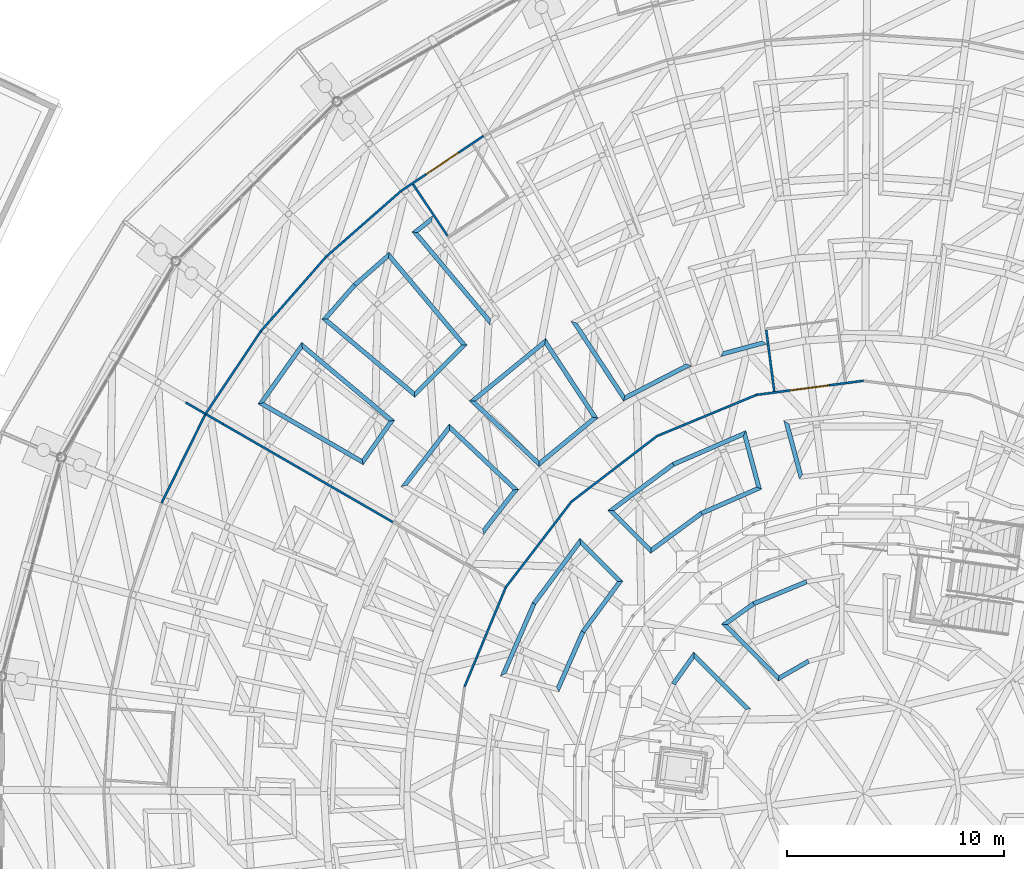
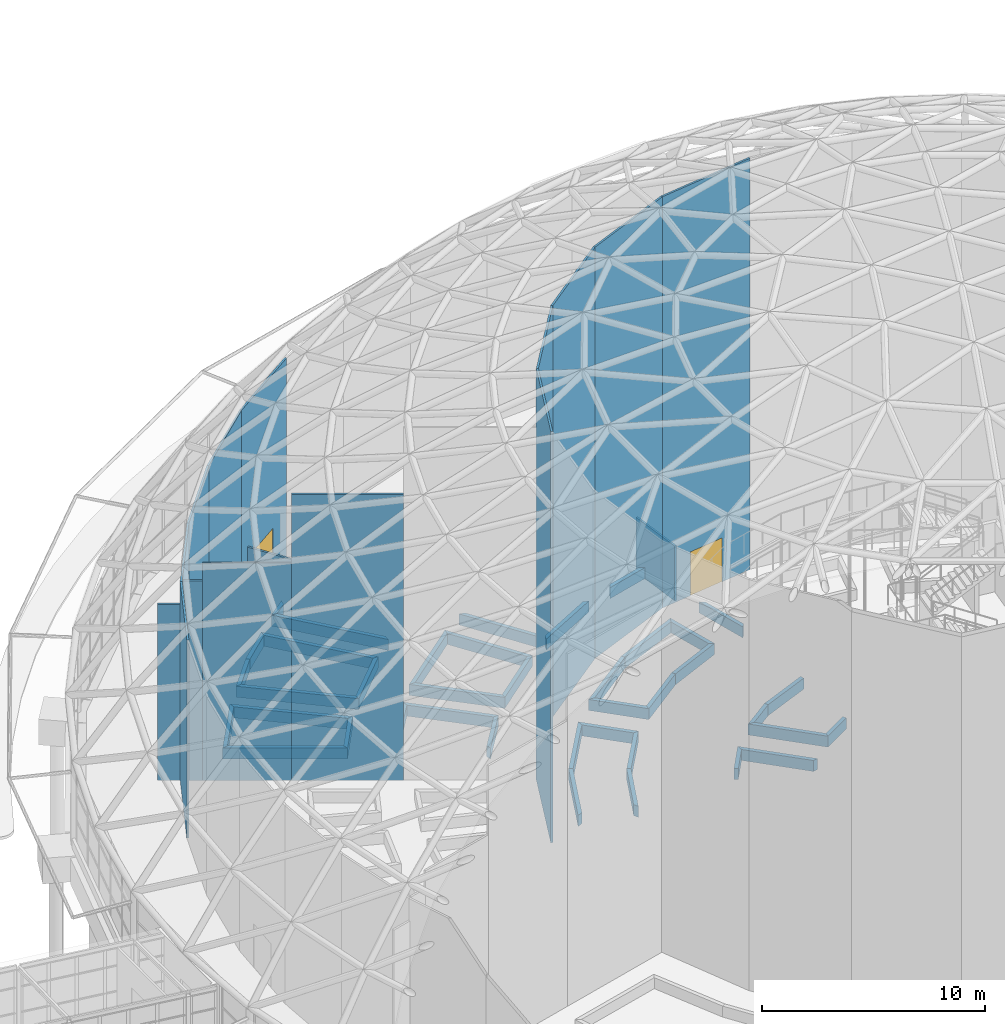
# One storey, part 171 of 226: 55 walls, 2 doors, 2 openings.
"""IFC4 building model written with IfcOpenShell, lengths in metres."""

from ifc_helpers import new_model, si_unit, direction, frame, frame_2d, origin, place, context, subcontext, project, spatial, polyline, rectangle, outline, extrude, material, layer, layer_set, type_object, element, fill, save


model = new_model("IFC4")

# Units and contexts
model_context = context("Model", 3, precision=1e-05, world=origin(), true_north=direction((0.0, 1.0)))
body_context = subcontext(model_context, "Body", "Model", "MODEL_VIEW")
ifc_project = project(units=[si_unit("LENGTHUNIT", "METRE"), si_unit("AREAUNIT", "SQUARE_METRE"), si_unit("VOLUMEUNIT", "CUBIC_METRE"), si_unit("PLANEANGLEUNIT", "RADIAN"), si_unit("MASSUNIT", "GRAM", prefix="KILO")], contexts=[model_context])

# Site, building, storey
site_placement = place(None, origin())
site = spatial("IfcSite", under=ifc_project, at=site_placement, CompositionType="ELEMENT")
building_placement = place(site_placement, origin())
building = spatial("IfcBuilding", under=site, at=building_placement, Name="Ceibo Conservatory and Research Tower", CompositionType="ELEMENT")
storey_placement = place(building_placement, origin())
storey = spatial("IfcBuildingStorey", under=building, at=storey_placement, Name="L00", CompositionType="ELEMENT", Elevation=0.0)

# Wall, opening, door
ifc_material_1 = material(Name="Aluminium and glass", Category="aluminium")
ifc_layer_1 = layer(ifc_material_1, 0.10009765625)
ifc_layer_set_1 = layer_set([ifc_layer_1], Name="Aluminium and glass")
wall_type_1 = type_object("IfcWallType", Name="Airlock screen wall 100", PredefinedType="PARTITIONING", material=ifc_layer_set_1)
wall_1_placement = place(storey_placement, frame((138.525146484375, 138.267578125, 0.0), z_axis=(0.0, 0.0, 1.0), x_axis=(-0.831458299113, -0.555587164031, 0.0)))
wall_1 = element("IfcWall", 1, at=wall_1_placement, inside=storey, type_object=wall_type_1, Name="Glazed partition O", PredefinedType="PARTITIONING", context=body_context, shape_type="SweptSolid", body=[
    extrude(outline(polyline([(-0.003173828125, -0.050048828125), (4.574951171875, -0.050048828125), (4.568603515625, 0.050048828125), (0.003173828125, 0.050048828125), (-0.003173828125, -0.050048828125)])), origin(), (0.0, 0.0, 1.0), 10.841552734375),
])
opening_1_placement = place(wall_1_placement, frame((1.385986328125, 0.0, 0.0)))
opening_1 = element("IfcOpeningElement", 2, at=opening_1_placement, cuts=wall_1, Name="Opening A-AL03", PredefinedType="OPENING", context=body_context, shape_type="SweptSolid", body=[
    extrude(rectangle(XDim=1.800048828125, YDim=2.39990234375, at=frame_2d((0.89990234375, 1.199951171875))), frame((0.0, 0.06005859375, 0.0), z_axis=(0.0, -1.0, 0.0), x_axis=(1.0, 0.0, 0.0)), (0.0, 0.0, 1.0), 0.1201171875),
])
door_type = type_object("IfcDoorType", Name="Glass sliding door 1800x2400", OperationType="DOUBLE_DOOR_SLIDING", PredefinedType="DOOR", material=ifc_material_1)
door_1_placement = place(opening_1_placement, origin())
door_1 = element("IfcDoor", 3, at=door_1_placement, inside=storey, type_object=door_type, Name="Airlock door A-AL03", OperationType="DOUBLE_DOOR_SLIDING", OverallHeight=2.39990234375, OverallWidth=1.800048828125, PredefinedType="DOOR", context=body_context, shape_type="SweptSolid", body=[
    extrude(rectangle(XDim=1.800048828125, YDim=2.39990234375, at=frame_2d((0.89990234375, 1.199951171875))), frame((0.0, 0.02490234375, 0.0), z_axis=(0.0, -1.0, 0.0), x_axis=(1.0, 0.0, 0.0)), (0.0, 0.0, 1.0), 0.050048828125),
])
fill(opening_1, door_1)

# Walls
wall_2_placement = place(storey_placement, frame((134.723876953125, 135.7275390625, 0.0), z_axis=(0.0, 0.0, 1.0), x_axis=(-0.751864999433, -0.659317088075, 0.0)))
element("IfcWall", 4, at=wall_2_placement, inside=storey, type_object=wall_type_1, Name="Glazed partition O", PredefinedType="PARTITIONING", context=body_context, shape_type="SweptSolid", body=[
    extrude(outline(polyline([(-0.003173828125, -0.050048828125), (4.57470703125, -0.050048828125), (4.568359375, 0.050048828125), (0.003173828125, 0.050048828125), (-0.003173828125, -0.050048828125)])), origin(), (0.0, 0.0, 1.0), 10.841552734375),
])
wall_3_placement = place(storey_placement, frame((131.28662109375, 132.71337890625, 0.0), z_axis=(0.0, 0.0, 1.0), x_axis=(-0.659317088075, -0.751864999433, 0.0)))
element("IfcWall", 5, at=wall_3_placement, inside=storey, type_object=wall_type_1, Name="Glazed partition O", PredefinedType="PARTITIONING", context=body_context, shape_type="SweptSolid", body=[
    extrude(outline(polyline([(-0.003173828125, -0.050048828125), (4.57470703125, -0.050048828125), (4.568359375, 0.050048828125), (0.003173828125, 0.050048828125), (-0.003173828125, -0.050048828125)])), origin(), (0.0, 0.0, 1.0), 10.84130859375),
])
wall_4_placement = place(storey_placement, frame((128.2724609375, 129.276123046875, 0.0), z_axis=(0.0, 0.0, 1.0), x_axis=(-0.555587164031, -0.831458299113, 0.0)))
element("IfcWall", 6, at=wall_4_placement, inside=storey, type_object=wall_type_1, Name="Glazed partition O", PredefinedType="PARTITIONING", context=body_context, shape_type="SweptSolid", body=[
    extrude(outline(polyline([(-0.003173828125, -0.050048828125), (4.574951171875, -0.050048828125), (4.568603515625, 0.050048828125), (0.003173828125, 0.050048828125), (-0.003173828125, -0.050048828125)])), origin(), (0.0, 0.0, 1.0), 10.841552734375),
])
wall_5_placement = place(storey_placement, frame((125.732421875, 125.474853515625, 0.0), z_axis=(0.0, 0.0, 1.0), x_axis=(-0.442293661028, -0.896870290184, 0.0)))
element("IfcWall", 7, at=wall_5_placement, inside=storey, type_object=wall_type_1, Name="Glazed partition O", PredefinedType="PARTITIONING", context=body_context, shape_type="SweptSolid", body=[
    extrude(outline(polyline([(-0.003173828125, -0.050048828125), (4.57470703125, -0.050048828125), (4.568359375, 0.050048828125), (0.003173828125, 0.050048828125), (-0.003173828125, -0.050048828125)])), origin(), (0.0, 0.0, 1.0), 10.841552734375),
])

# Wall, opening, door
wall_6_placement = place(storey_placement, frame((156.0, 127.0, 0.0), z_axis=(0.0, 0.0, 1.0), x_axis=(-0.991443234469, -0.130538549191, 0.0)))
wall_6 = element("IfcWall", 8, at=wall_6_placement, inside=storey, type_object=wall_type_1, Name="Glazed partition I", PredefinedType="PARTITIONING", context=body_context, shape_type="SweptSolid", body=[
    extrude(outline(polyline([(-0.006591796875, -0.050048828125), (4.966552734375, -0.050048828125), (4.953369140625, 0.050048828125), (0.006591796875, 0.050048828125), (-0.006591796875, -0.050048828125)])), origin(), (0.0, 0.0, 1.0), 22.484130859375),
])
opening_2_placement = place(wall_6_placement, frame((1.580078125, 0.0, 0.0)))
opening_2 = element("IfcOpeningElement", 9, at=opening_2_placement, cuts=wall_6, Name="Opening A-AL15", PredefinedType="OPENING", context=body_context, shape_type="SweptSolid", body=[
    extrude(rectangle(XDim=1.800048828125, YDim=2.39990234375, at=frame_2d((0.89990234375, 1.199951171875))), frame((0.0, 0.06005859375, 0.0), z_axis=(0.0, -1.0, 0.0), x_axis=(1.0, 0.0, 0.0)), (0.0, 0.0, 1.0), 0.1201171875),
])
door_2_placement = place(opening_2_placement, origin())
door_2 = element("IfcDoor", 10, at=door_2_placement, inside=storey, type_object=door_type, Name="Airlock door A-AL15", OperationType="DOUBLE_DOOR_SLIDING", OverallHeight=2.39990234375, OverallWidth=1.800048828125, PredefinedType="DOOR", context=body_context, shape_type="SweptSolid", body=[
    extrude(rectangle(XDim=1.800048828125, YDim=2.39990234375, at=frame_2d((0.89990234375, 1.199951171875))), frame((0.0, 0.02490234375, 0.0), z_axis=(0.0, -1.0, 0.0), x_axis=(1.0, 0.0, 0.0)), (0.0, 0.0, 1.0), 0.050048828125),
])
fill(opening_2, door_2)

# Walls
for number, where, z_axis, x_axis, name in (
    (11, (151.08251953125, 126.3525390625, 0.0), (0.0, 0.0, 1.0), (-0.923893254961, -0.382650301762, 0.0), "Glazed partition I"),
    (12, (146.5, 124.45458984375, 0.0), (0.0, 0.0, 1.0), (-0.793348024649, -0.608768356425, 0.0), "Glazed partition I"),
    (13, (142.56494140625, 121.43505859375, 0.0), (0.0, 0.0, 1.0), (-0.608768356425, -0.793348024649, 0.0), "Glazed partition I"),
    (14, (139.54541015625, 117.5, 0.0), (0.0, 0.0, 1.0), (-0.382650301762, -0.923893254961, 0.0), "Glazed partition I"),
):
    element("IfcWall", number, at=place(storey_placement, frame(where, z_axis=z_axis, x_axis=x_axis)), inside=storey, type_object=wall_type_1, Name=name, PredefinedType="PARTITIONING", context=body_context, shape_type="SweptSolid", body=[
        extrude(outline(polyline([(-0.006591796875, -0.050048828125), (4.966552734375, -0.050048828125), (4.953369140625, 0.050048828125), (0.006591796875, 0.050048828125), (-0.006591796875, -0.050048828125)])), origin(), (0.0, 0.0, 1.0), 22.484130859375),
    ])
wall_7_placement = place(storey_placement, frame((134.349365234375, 120.5, 0.0), z_axis=(0.0, 0.0, 1.0), x_axis=(-0.866022959057, 0.500004234368, 0.0)))
element("IfcWall", 15, at=wall_7_placement, inside=storey, type_object=wall_type_1, Name="Glazed partition R", PredefinedType="PARTITIONING", context=body_context, shape_type="SweptSolid", body=[
    extrude(rectangle(XDim=5.0, YDim=0.10009765625, at=frame_2d((2.5, 0.0))), origin(), (0.0, 0.0, 1.0), 15.635498046875),
])
wall_8_placement = place(storey_placement, frame((130.019287109375, 123.0, 0.0), z_axis=(0.0, 0.0, 1.0), x_axis=(-0.866026010844, 0.49999894854, 0.0)))
element("IfcWall", 16, at=wall_8_placement, inside=storey, type_object=wall_type_1, Name="Glazed partition R", PredefinedType="PARTITIONING", context=body_context, shape_type="SweptSolid", body=[
    extrude(rectangle(XDim=4.0, YDim=0.10009765625, at=frame_2d((2.0, 0.0))), origin(), (0.0, 0.0, 1.0), 11.876220703125),
])
wall_9_placement = place(storey_placement, frame((126.55517578125, 125.0, 0.0), z_axis=(0.0, 0.0, 1.0), x_axis=(-0.866013897511, 0.50001992892, 0.0)))
element("IfcWall", 17, at=wall_9_placement, inside=storey, type_object=wall_type_1, Name="Glazed partition R", PredefinedType="PARTITIONING", context=body_context, shape_type="SweptSolid", body=[
    extrude(rectangle(XDim=0.89990234375, YDim=0.10009765625, at=frame_2d((0.449951171875, 0.0))), origin(), (0.0, 0.0, 1.0), 10.897705078125),
])
wall_10_placement = place(storey_placement, frame((125.73095703125, 125.475830078125, 0.0), z_axis=(0.0, 0.0, 1.0), x_axis=(-0.866042106815, 0.499971068387, 0.0)))
element("IfcWall", 18, at=wall_10_placement, inside=storey, type_object=wall_type_1, Name="Glazed partition R", PredefinedType="PARTITIONING", context=body_context, shape_type="SweptSolid", body=[
    extrude(rectangle(XDim=1.04833984375, YDim=0.10009765625, at=frame_2d((0.524169921875, 0.0))), origin(), (0.0, 0.0, 1.0), 9.62109375),
])
for number, where, z_axis, x_axis, name in (
    (19, (135.2802734375, 136.039306640625, 0.0), (0.0, 0.0, 1.0), (0.555609208993, -0.831443568068, 0.0), "Glazed partition A"),
    (20, (151.89892578125, 126.510498046875, 0.0), (0.0, 0.0, 1.0), (-0.130547578832, 0.991442045538, 0.0), "Glazed partition A"),
):
    element("IfcWall", number, at=place(storey_placement, frame(where, z_axis=z_axis, x_axis=x_axis)), inside=storey, type_object=wall_type_1, Name=name, PredefinedType="PARTITIONING", context=body_context, shape_type="SweptSolid", body=[
        extrude(rectangle(XDim=2.85009765625, YDim=0.10009765625, at=frame_2d((1.425048828125, 0.0))), origin(), (0.0, 0.0, 1.0), 3.0),
    ])
ifc_material_2 = material(Name="Masonry blockwork", Category="masonry")
ifc_layer_2 = layer(ifc_material_2, 0.199951171875)
ifc_layer_set_2 = layer_set([ifc_layer_2], Name="Masonry blockwork")
wall_type_2 = type_object("IfcWallType", Name="Dome planter wall 200", PredefinedType="SOLIDWALL", material=ifc_layer_set_2)
wall_11_placement = place(storey_placement, frame((153.3876953125, 117.755615234375, 0.0), z_axis=(0.0, 0.0, 1.0), x_axis=(-0.923865774378, -0.382716645748, 0.0)))
element("IfcWall", 21, at=wall_11_placement, inside=storey, type_object=wall_type_2, Name="Planter wall A-PB004", PredefinedType="SOLIDWALL", context=body_context, shape_type="SweptSolid", body=[
    extrude(outline(polyline([(-0.011474609375, -0.10009765625), (2.651123046875, -0.10009765625), (2.628173828125, 0.10009765625), (0.011474609375, 0.10009765625), (-0.011474609375, -0.10009765625)])), origin(), (0.0, 0.0, 1.0), 0.60009765625),
])
wall_12_placement = place(storey_placement, frame((150.948974609375, 116.745361328125, 0.0), z_axis=(0.0, 0.0, 1.0), x_axis=(-0.813329567301, -0.581803244194, 0.0)))
element("IfcWall", 22, at=wall_12_placement, inside=storey, type_object=wall_type_2, Name="Planter wall A-PB004", PredefinedType="SOLIDWALL", context=body_context, shape_type="SweptSolid", body=[
    extrude(outline(polyline([(-0.011474609375, -0.10009765625), (1.75244140625, -0.10009765625), (1.5166015625, 0.10009765625), (0.011474609375, 0.10009765625), (-0.011474609375, -0.10009765625)])), origin(), (0.0, 0.0, 1.0), 0.60009765625),
])
wall_13_placement = place(storey_placement, frame((149.61962890625, 115.79443359375, 0.0), z_axis=(0.0, 0.0, 1.0), x_axis=(0.707106781187, -0.707106781187, 0.0)))
element("IfcWall", 23, at=wall_13_placement, inside=storey, type_object=wall_type_2, Name="Planter wall A-PB004", PredefinedType="SOLIDWALL", context=body_context, shape_type="SweptSolid", body=[
    extrude(outline(polyline([(-0.117919921875, -0.10009765625), (3.589111328125, -0.10009765625), (3.435791015625, 0.10009765625), (0.117919921875, 0.10009765625), (-0.117919921875, -0.10009765625)])), origin(), (0.0, 0.0, 1.0), 0.60009765625),
])
wall_14_placement = place(storey_placement, frame((152.103271484375, 113.310791015625, 0.0), z_axis=(0.0, 0.0, 1.0), x_axis=(0.867043085588, 0.498233166032, 0.0)))
element("IfcWall", 24, at=wall_14_placement, inside=storey, type_object=wall_type_2, Name="Planter wall A-PB004", PredefinedType="SOLIDWALL", context=body_context, shape_type="SweptSolid", body=[
    extrude(outline(polyline([(-0.07666015625, -0.10009765625), (1.56787109375, -0.10009765625), (1.59375, 0.10009765625), (0.07666015625, 0.10009765625), (-0.07666015625, -0.10009765625)])), origin(), (0.0, 0.0, 1.0), 0.60009765625),
])
wall_15_placement = place(storey_placement, frame((150.6923828125, 111.893310546875, 0.0), z_axis=(0.0, 0.0, 1.0), x_axis=(-0.707072072301, 0.707141488369, 0.0)))
element("IfcWall", 25, at=wall_15_placement, inside=storey, type_object=wall_type_2, Name="Planter wall A-PB005", PredefinedType="SOLIDWALL", context=body_context, shape_type="SweptSolid", body=[
    extrude(outline(polyline([(-0.072021484375, -0.10009765625), (3.635009765625, -0.10009765625), (3.399169921875, 0.10009765625), (0.072021484375, 0.10009765625), (-0.072021484375, -0.10009765625)])), origin(), (0.0, 0.0, 1.0), 0.60009765625),
])
wall_16_placement = place(storey_placement, frame((148.20556640625, 114.38037109375, 0.0), z_axis=(0.0, 0.0, 1.0), x_axis=(-0.581887571714, -0.81326923825, 0.0)))
element("IfcWall", 26, at=wall_16_placement, inside=storey, type_object=wall_type_2, Name="Planter wall A-PB005", PredefinedType="SOLIDWALL", context=body_context, shape_type="SweptSolid", body=[
    extrude(outline(polyline([(-0.117919921875, -0.10009765625), (1.64599609375, -0.10009765625), (1.625, 0.10009765625), (0.117919921875, 0.10009765625), (-0.117919921875, -0.10009765625)])), origin(), (0.0, 0.0, 1.0), 0.60009765625),
])
wall_17_placement = place(storey_placement, frame((152.4560546875, 125.090087890625, 0.0), z_axis=(0.0, 0.0, 1.0), x_axis=(0.258797147923, -0.965931693355, 0.0)))
element("IfcWall", 27, at=wall_17_placement, inside=storey, type_object=wall_type_2, Name="Planter wall A-PB012", PredefinedType="SOLIDWALL", context=body_context, shape_type="SweptSolid", body=[
    extrude(outline(polyline([(-0.115966796875, -0.10009765625), (2.68408203125, -0.10009765625), (2.51220703125, 0.10009765625), (0.115966796875, 0.10009765625), (-0.115966796875, -0.10009765625)])), origin(), (0.0, 0.0, 1.0), 0.60009765625),
])
wall_18_placement = place(storey_placement, frame((150.524169921875, 124.572509765625, 0.0), z_axis=(0.0, 0.0, 1.0), x_axis=(-0.917655457797, -0.397376975647, 0.0)))
element("IfcWall", 28, at=wall_18_placement, inside=storey, type_object=wall_type_2, Name="Planter wall A-PB013", PredefinedType="SOLIDWALL", context=body_context, shape_type="SweptSolid", body=[
    extrude(outline(polyline([(-0.115966796875, -0.10009765625), (3.5791015625, -0.10009765625), (3.55615234375, 0.10009765625), (0.115966796875, 0.10009765625), (-0.115966796875, -0.10009765625)])), origin(), (0.0, 0.0, 1.0), 0.60009765625),
])
wall_19_placement = place(storey_placement, frame((147.250244140625, 123.15478515625, 0.0), z_axis=(0.0, 0.0, 1.0), x_axis=(-0.802971240862, -0.596017773517, 0.0)))
element("IfcWall", 29, at=wall_19_placement, inside=storey, type_object=wall_type_2, Name="Planter wall A-PB013", PredefinedType="SOLIDWALL", context=body_context, shape_type="SweptSolid", body=[
    extrude(outline(polyline([(-0.011474609375, -0.10009765625), (3.683349609375, -0.10009765625), (3.451416015625, 0.10009765625), (0.011474609375, 0.10009765625), (-0.011474609375, -0.10009765625)])), origin(), (0.0, 0.0, 1.0), 0.60009765625),
])
wall_20_placement = place(storey_placement, frame((144.3857421875, 121.028564453125, 0.0), z_axis=(0.0, 0.0, 1.0), x_axis=(0.707106781187, -0.707106781187, 0.0)))
element("IfcWall", 30, at=wall_20_placement, inside=storey, type_object=wall_type_2, Name="Planter wall A-PB013", PredefinedType="SOLIDWALL", context=body_context, shape_type="SweptSolid", body=[
    extrude(outline(polyline([(-0.115966796875, -0.10009765625), (2.68408203125, -0.10009765625), (2.51220703125, 0.10009765625), (0.115966796875, 0.10009765625), (-0.115966796875, -0.10009765625)])), origin(), (0.0, 0.0, 1.0), 0.60009765625),
])
wall_21_placement = place(storey_placement, frame((146.222900390625, 119.19140625, 0.0), z_axis=(0.0, 0.0, 1.0), x_axis=(0.805331841375, 0.592824278574, 0.0)))
element("IfcWall", 31, at=wall_21_placement, inside=storey, type_object=wall_type_2, Name="Planter wall A-PB013", PredefinedType="SOLIDWALL", context=body_context, shape_type="SweptSolid", body=[
    extrude(outline(polyline([(-0.0859375, -0.10009765625), (2.878173828125, -0.10009765625), (2.900634765625, 0.10009765625), (0.0859375, 0.10009765625), (-0.0859375, -0.10009765625)])), origin(), (0.0, 0.0, 1.0), 0.60009765625),
])
wall_22_placement = place(storey_placement, frame((148.5498046875, 120.904296875, 0.0), z_axis=(0.0, 0.0, 1.0), x_axis=(0.916062281515, 0.401036028786, 0.0)))
element("IfcWall", 32, at=wall_22_placement, inside=storey, type_object=wall_type_2, Name="Planter wall A-PB013", PredefinedType="SOLIDWALL", context=body_context, shape_type="SweptSolid", body=[
    extrude(outline(polyline([(0.01123046875, -0.10009765625), (2.97509765625, -0.10009765625), (2.80322265625, 0.10009765625), (-0.01123046875, 0.10009765625), (0.01123046875, -0.10009765625)])), origin(), (0.0, 0.0, 1.0), 0.60009765625),
])
wall_23_placement = place(storey_placement, frame((151.196533203125, 122.06298828125, 0.0), z_axis=(0.0, 0.0, 1.0), x_axis=(-0.258797147923, 0.965931693355, 0.0)))
element("IfcWall", 33, at=wall_23_placement, inside=storey, type_object=wall_type_2, Name="Planter wall A-PB013", PredefinedType="SOLIDWALL", context=body_context, shape_type="SweptSolid", body=[
    extrude(outline(polyline([(-0.0859375, -0.10009765625), (2.714111328125, -0.10009765625), (2.482177734375, 0.10009765625), (0.0859375, 0.10009765625), (-0.0859375, -0.10009765625)])), origin(), (0.0, 0.0, 1.0), 0.60009765625),
])
wall_24_placement = place(storey_placement, frame((142.971435546875, 119.6142578125, 0.0), z_axis=(0.0, 0.0, 1.0), x_axis=(-0.596017773517, -0.802971240862, 0.0)))
element("IfcWall", 34, at=wall_24_placement, inside=storey, type_object=wall_type_2, Name="Planter wall A-PB014", PredefinedType="SOLIDWALL", context=body_context, shape_type="SweptSolid", body=[
    extrude(outline(polyline([(-0.115966796875, -0.10009765625), (3.578857421875, -0.10009765625), (3.555908203125, 0.10009765625), (0.115966796875, 0.10009765625), (-0.115966796875, -0.10009765625)])), origin(), (0.0, 0.0, 1.0), 0.60009765625),
])
wall_25_placement = place(storey_placement, frame((140.84521484375, 116.749755859375, 0.0), z_axis=(0.0, 0.0, 1.0), x_axis=(-0.397376975647, -0.917655457797, 0.0)))
element("IfcWall", 35, at=wall_25_placement, inside=storey, type_object=wall_type_2, Name="Planter wall A-PB014", PredefinedType="SOLIDWALL", context=body_context, shape_type="SweptSolid", body=[
    extrude(outline(polyline([(-0.011474609375, -0.10009765625), (3.68359375, -0.10009765625), (3.45166015625, 0.10009765625), (0.011474609375, 0.10009765625), (-0.011474609375, -0.10009765625)])), origin(), (0.0, 0.0, 1.0), 0.60009765625),
])
wall_26_placement = place(storey_placement, frame((141.93701171875, 112.803466796875, 0.0), z_axis=(0.0, 0.0, 1.0), x_axis=(0.401036028786, 0.916062281515, 0.0)))
element("IfcWall", 36, at=wall_26_placement, inside=storey, type_object=wall_type_2, Name="Planter wall A-PB014", PredefinedType="SOLIDWALL", context=body_context, shape_type="SweptSolid", body=[
    extrude(outline(polyline([(-0.0859375, -0.10009765625), (2.8779296875, -0.10009765625), (2.900390625, 0.10009765625), (0.0859375, 0.10009765625), (-0.0859375, -0.10009765625)])), origin(), (0.0, 0.0, 1.0), 0.60009765625),
])
wall_27_placement = place(storey_placement, frame((143.095703125, 115.4501953125, 0.0), z_axis=(0.0, 0.0, 1.0), x_axis=(0.592824278574, 0.805331841375, 0.0)))
element("IfcWall", 37, at=wall_27_placement, inside=storey, type_object=wall_type_2, Name="Planter wall A-PB014", PredefinedType="SOLIDWALL", context=body_context, shape_type="SweptSolid", body=[
    extrude(outline(polyline([(0.01123046875, -0.10009765625), (2.975341796875, -0.10009765625), (2.803466796875, 0.10009765625), (-0.01123046875, 0.10009765625), (0.01123046875, -0.10009765625)])), origin(), (0.0, 0.0, 1.0), 0.60009765625),
])
wall_28_placement = place(storey_placement, frame((144.80859375, 117.777099609375, 0.0), z_axis=(0.0, 0.0, 1.0), x_axis=(-0.707106781187, 0.707106781187, 0.0)))
element("IfcWall", 38, at=wall_28_placement, inside=storey, type_object=wall_type_2, Name="Planter wall A-PB014", PredefinedType="SOLIDWALL", context=body_context, shape_type="SweptSolid", body=[
    extrude(outline(polyline([(-0.0859375, -0.10009765625), (2.714111328125, -0.10009765625), (2.482177734375, 0.10009765625), (0.0859375, 0.10009765625), (-0.0859375, -0.10009765625)])), origin(), (0.0, 0.0, 1.0), 0.60009765625),
])
wall_29_placement = place(storey_placement, frame((149.488525390625, 128.229248046875, 0.0), z_axis=(0.0, 0.0, 1.0), x_axis=(0.965332327536, 0.261023940306, 0.0)))
element("IfcWall", 39, at=wall_29_placement, inside=storey, type_object=wall_type_2, Name="Planter wall A-PB031", PredefinedType="SOLIDWALL", context=body_context, shape_type="SweptSolid", body=[
    extrude(outline(polyline([(-0.091796875, -0.10009765625), (2.120849609375, -0.10009765625), (1.946044921875, 0.10009765625), (0.091796875, 0.10009765625), (-0.091796875, -0.10009765625)])), origin(), (0.0, 0.0, 1.0), 0.60009765625),
])
wall_30_placement = place(storey_placement, frame((142.689453125, 129.693603515625, 0.0), z_axis=(0.0, 0.0, 1.0), x_axis=(0.549524434319, -0.835477645474, 0.0)))
element("IfcWall", 40, at=wall_30_placement, inside=storey, type_object=wall_type_2, Name="Planter wall A-PB032", PredefinedType="SOLIDWALL", context=body_context, shape_type="SweptSolid", body=[
    extrude(outline(polyline([(-0.112060546875, -0.10009765625), (4.27880859375, -0.10009765625), (4.0986328125, 0.10009765625), (0.112060546875, 0.10009765625), (-0.112060546875, -0.10009765625)])), origin(), (0.0, 0.0, 1.0), 0.60009765625),
])
wall_31_placement = place(storey_placement, frame((144.9912109375, 126.194091796875, 0.0), z_axis=(0.0, 0.0, 1.0), x_axis=(0.887981654309, 0.459878877109, 0.0)))
element("IfcWall", 41, at=wall_31_placement, inside=storey, type_object=wall_type_2, Name="Planter wall A-PB032", PredefinedType="SOLIDWALL", context=body_context, shape_type="SweptSolid", body=[
    extrude(outline(polyline([(-0.090087890625, -0.10009765625), (3.437744140625, -0.10009765625), (3.261962890625, 0.10009765625), (0.090087890625, 0.10009765625), (-0.090087890625, -0.10009765625)])), origin(), (0.0, 0.0, 1.0), 0.60009765625),
])
wall_32_placement = place(storey_placement, frame((138.015625, 126.067138671875, 0.0), z_axis=(0.0, 0.0, 1.0), x_axis=(0.727400754974, -0.686212898205, 0.0)))
element("IfcWall", 42, at=wall_32_placement, inside=storey, type_object=wall_type_2, Name="Planter wall A-PB033", PredefinedType="SOLIDWALL", context=body_context, shape_type="SweptSolid", body=[
    extrude(outline(polyline([(-0.11376953125, -0.10009765625), (4.296630859375, -0.10009765625), (4.120361328125, 0.10009765625), (0.11376953125, 0.10009765625), (-0.11376953125, -0.10009765625)])), origin(), (0.0, 0.0, 1.0), 0.60009765625),
])
wall_33_placement = place(storey_placement, frame((141.076904296875, 123.17919921875, 0.0), z_axis=(0.0, 0.0, 1.0), x_axis=(0.771993413959, 0.635630528533, 0.0)))
element("IfcWall", 43, at=wall_33_placement, inside=storey, type_object=wall_type_2, Name="Planter wall A-PB033", PredefinedType="SOLIDWALL", context=body_context, shape_type="SweptSolid", body=[
    extrude(outline(polyline([(-0.088134765625, -0.10009765625), (3.43603515625, -0.10009765625), (3.25634765625, 0.10009765625), (0.088134765625, 0.10009765625), (-0.088134765625, -0.10009765625)])), origin(), (0.0, 0.0, 1.0), 0.60009765625),
])
wall_34_placement = place(storey_placement, frame((143.66015625, 125.30615234375, 0.0), z_axis=(0.0, 0.0, 1.0), x_axis=(-0.549539444865, 0.835467772291, 0.0)))
element("IfcWall", 44, at=wall_34_placement, inside=storey, type_object=wall_type_2, Name="Planter wall A-PB033", PredefinedType="SOLIDWALL", context=body_context, shape_type="SweptSolid", body=[
    extrude(outline(polyline([(-0.08984375, -0.10009765625), (4.301025390625, -0.10009765625), (4.078857421875, 0.10009765625), (0.08984375, 0.10009765625), (-0.08984375, -0.10009765625)])), origin(), (0.0, 0.0, 1.0), 0.60009765625),
])
wall_35_placement = place(storey_placement, frame((141.357666015625, 128.806640625, 0.0), z_axis=(0.0, 0.0, 1.0), x_axis=(-0.773378028369, -0.633945127937, 0.0)))
element("IfcWall", 45, at=wall_35_placement, inside=storey, type_object=wall_type_2, Name="Planter wall A-PB033", PredefinedType="SOLIDWALL", context=body_context, shape_type="SweptSolid", body=[
    extrude(outline(polyline([(-0.111083984375, -0.10009765625), (4.43505859375, -0.10009765625), (4.20751953125, 0.10009765625), (0.111083984375, 0.10009765625), (-0.111083984375, -0.10009765625)])), origin(), (0.0, 0.0, 1.0), 0.60009765625),
])
wall_36_placement = place(storey_placement, frame((140.005859375, 121.98974609375, 0.0), z_axis=(0.0, 0.0, 1.0), x_axis=(-0.727365131806, 0.686250657582, 0.0)))
element("IfcWall", 46, at=wall_36_placement, inside=storey, type_object=wall_type_2, Name="Planter wall A-PB034", PredefinedType="SOLIDWALL", context=body_context, shape_type="SweptSolid", body=[
    extrude(outline(polyline([(-0.0908203125, -0.10009765625), (4.302734375, -0.10009765625), (4.08203125, 0.10009765625), (0.0908203125, 0.10009765625), (-0.0908203125, -0.10009765625)])), origin(), (0.0, 0.0, 1.0), 0.60009765625),
])
wall_37_placement = place(storey_placement, frame((136.95654296875, 124.86669921875, 0.0), z_axis=(0.0, 0.0, 1.0), x_axis=(-0.610967314026, -0.791655822433, 0.0)))
element("IfcWall", 47, at=wall_37_placement, inside=storey, type_object=wall_type_2, Name="Planter wall A-PB034", PredefinedType="SOLIDWALL", context=body_context, shape_type="SweptSolid", body=[
    extrude(outline(polyline([(-0.1103515625, -0.10009765625), (3.530029296875, -0.10009765625), (3.301513671875, 0.10009765625), (0.1103515625, 0.10009765625), (-0.1103515625, -0.10009765625)])), origin(), (0.0, 0.0, 1.0), 0.60009765625),
])
wall_38_placement = place(storey_placement, frame((138.505615234375, 120.063232421875, 0.0), z_axis=(0.0, 0.0, 1.0), x_axis=(0.614411205565, 0.788985976096, 0.0)))
element("IfcWall", 48, at=wall_38_placement, inside=storey, type_object=wall_type_2, Name="Planter wall A-PB034", PredefinedType="SOLIDWALL", context=body_context, shape_type="SweptSolid", body=[
    extrude(outline(polyline([(-0.087158203125, -0.10009765625), (2.532470703125, -0.10009765625), (2.350830078125, 0.10009765625), (0.087158203125, 0.10009765625), (-0.087158203125, -0.10009765625)])), origin(), (0.0, 0.0, 1.0), 0.60009765625),
])
wall_39_placement = place(storey_placement, frame((136.158203125, 134.45556640625, 0.0), z_axis=(0.0, 0.0, 1.0), x_axis=(-0.784242597729, -0.620454307671, 0.0)))
element("IfcWall", 49, at=wall_39_placement, inside=storey, type_object=wall_type_2, Name="Planter wall A-PB044", PredefinedType="SOLIDWALL", context=body_context, shape_type="SweptSolid", body=[
    extrude(outline(polyline([(-0.1083984375, -0.10009765625), (1.10888671875, -0.10009765625), (0.9033203125, 0.10009765625), (0.1083984375, 0.10009765625), (-0.1083984375, -0.10009765625)])), origin(), (0.0, 0.0, 1.0), 0.60009765625),
])
wall_40_placement = place(storey_placement, frame((135.369140625, 133.831298828125, 0.0), z_axis=(0.0, 0.0, 1.0), x_axis=(0.642794283986, -0.766038842667, 0.0)))
element("IfcWall", 50, at=wall_40_placement, inside=storey, type_object=wall_type_2, Name="Planter wall A-PB044", PredefinedType="SOLIDWALL", context=body_context, shape_type="SweptSolid", body=[
    extrude(outline(polyline([(-0.102783203125, -0.10009765625), (5.486572265625, -0.10009765625), (5.281982421875, 0.10009765625), (0.102783203125, 0.10009765625), (-0.102783203125, -0.10009765625)])), origin(), (0.0, 0.0, 1.0), 0.60009765625),
])
wall_41_placement = place(storey_placement, frame((137.630859375, 128.646728515625, 0.0), z_axis=(0.0, 0.0, 1.0), x_axis=(-0.642762204395, 0.766065759972, 0.0)))
element("IfcWall", 51, at=wall_41_placement, inside=storey, type_object=wall_type_2, Name="Planter wall A-PB045", PredefinedType="SOLIDWALL", context=body_context, shape_type="SweptSolid", body=[
    extrude(outline(polyline([(-0.091552734375, -0.10009765625), (5.497802734375, -0.10009765625), (5.293212890625, 0.10009765625), (0.091552734375, 0.10009765625), (-0.091552734375, -0.10009765625)])), origin(), (0.0, 0.0, 1.0), 0.60009765625),
])
wall_42_placement = place(storey_placement, frame((134.162841796875, 132.780029296875, 0.0), z_axis=(0.0, 0.0, 1.0), x_axis=(-0.751836490486, -0.659349597387, 0.0)))
element("IfcWall", 52, at=wall_42_placement, inside=storey, type_object=wall_type_2, Name="Planter wall A-PB045", PredefinedType="SOLIDWALL", context=body_context, shape_type="SweptSolid", body=[
    extrude(outline(polyline([(-0.102294921875, -0.10009765625), (2.092041015625, -0.10009765625), (2.078857421875, 0.10009765625), (0.102294921875, 0.10009765625), (-0.102294921875, -0.10009765625)])), origin(), (0.0, 0.0, 1.0), 0.60009765625),
])
wall_43_placement = place(storey_placement, frame((132.594970703125, 131.405029296875, 0.0), z_axis=(0.0, 0.0, 1.0), x_axis=(-0.659349597387, -0.751836490486, 0.0)))
element("IfcWall", 53, at=wall_43_placement, inside=storey, type_object=wall_type_2, Name="Planter wall A-PB045", PredefinedType="SOLIDWALL", context=body_context, shape_type="SweptSolid", body=[
    extrude(outline(polyline([(-0.006591796875, -0.10009765625), (2.187744140625, -0.10009765625), (1.983154296875, 0.10009765625), (0.006591796875, 0.10009765625), (-0.006591796875, -0.10009765625)])), origin(), (0.0, 0.0, 1.0), 0.60009765625),
])
wall_44_placement = place(storey_placement, frame((131.219970703125, 129.837158203125, 0.0), z_axis=(0.0, 0.0, 1.0), x_axis=(0.766065759972, -0.642762204395, 0.0)))
element("IfcWall", 54, at=wall_44_placement, inside=storey, type_object=wall_type_2, Name="Planter wall A-PB045", PredefinedType="SOLIDWALL", context=body_context, shape_type="SweptSolid", body=[
    extrude(outline(polyline([(-0.102294921875, -0.10009765625), (5.487060546875, -0.10009765625), (5.303955078125, 0.10009765625), (0.102294921875, 0.10009765625), (-0.102294921875, -0.10009765625)])), origin(), (0.0, 0.0, 1.0), 0.60009765625),
])
wall_45_placement = place(storey_placement, frame((135.353271484375, 126.369140625, 0.0), z_axis=(0.0, 0.0, 1.0), x_axis=(0.707106781187, 0.707106781187, 0.0)))
element("IfcWall", 55, at=wall_45_placement, inside=storey, type_object=wall_type_2, Name="Planter wall A-PB045", PredefinedType="SOLIDWALL", context=body_context, shape_type="SweptSolid", body=[
    extrude(outline(polyline([(-0.091552734375, -0.10009765625), (3.3125, -0.10009765625), (3.12939453125, 0.10009765625), (0.091552734375, 0.10009765625), (-0.091552734375, -0.10009765625)])), origin(), (0.0, 0.0, 1.0), 0.60009765625),
])
wall_46_placement = place(storey_placement, frame((134.301025390625, 125.163330078125, 0.0), z_axis=(0.0, 0.0, 1.0), x_axis=(-0.766051931069, 0.642778685789, 0.0)))
element("IfcWall", 56, at=wall_46_placement, inside=storey, type_object=wall_type_2, Name="Planter wall A-PB046", PredefinedType="SOLIDWALL", context=body_context, shape_type="SweptSolid", body=[
    extrude(outline(polyline([(-0.092041015625, -0.10009765625), (5.497314453125, -0.10009765625), (5.280517578125, 0.10009765625), (0.092041015625, 0.10009765625), (-0.092041015625, -0.10009765625)])), origin(), (0.0, 0.0, 1.0), 0.60009765625),
])
wall_47_placement = place(storey_placement, frame((130.1728515625, 128.627197265625, 0.0), z_axis=(0.0, 0.0, 1.0), x_axis=(-0.578645919293, -0.815578874227, 0.0)))
element("IfcWall", 57, at=wall_47_placement, inside=storey, type_object=wall_type_2, Name="Planter wall A-PB046", PredefinedType="SOLIDWALL", context=body_context, shape_type="SweptSolid", body=[
    extrude(outline(polyline([(-0.1083984375, -0.10009765625), (3.374267578125, -0.10009765625), (3.154541015625, 0.10009765625), (0.1083984375, 0.10009765625), (-0.1083984375, -0.10009765625)])), origin(), (0.0, 0.0, 1.0), 0.60009765625),
])
wall_48_placement = place(storey_placement, frame((128.283935546875, 125.96484375, 0.0), z_axis=(0.0, 0.0, 1.0), x_axis=(0.866022172979, -0.500005595877, 0.0)))
element("IfcWall", 58, at=wall_48_placement, inside=storey, type_object=wall_type_2, Name="Planter wall A-PB046", PredefinedType="SOLIDWALL", context=body_context, shape_type="SweptSolid", body=[
    extrude(outline(polyline([(-0.10986328125, -0.10009765625), (5.490234375, -0.10009765625), (5.3076171875, 0.10009765625), (0.10986328125, 0.10009765625), (-0.10986328125, -0.10009765625)])), origin(), (0.0, 0.0, 1.0), 0.60009765625),
])
wall_49_placement = place(storey_placement, frame((132.95947265625, 123.265380859375, 0.0), z_axis=(0.0, 0.0, 1.0), x_axis=(0.577206834489, 0.816597985681, 0.0)))
element("IfcWall", 59, at=wall_49_placement, inside=storey, type_object=wall_type_2, Name="Planter wall A-PB046", PredefinedType="SOLIDWALL", context=body_context, shape_type="SweptSolid", body=[
    extrude(outline(polyline([(-0.09130859375, -0.10009765625), (2.416259765625, -0.10009765625), (2.232177734375, 0.10009765625), (0.09130859375, 0.10009765625), (-0.09130859375, -0.10009765625)])), origin(), (0.0, 0.0, 1.0), 0.60009765625),
])

save(model, "model.ifc")
